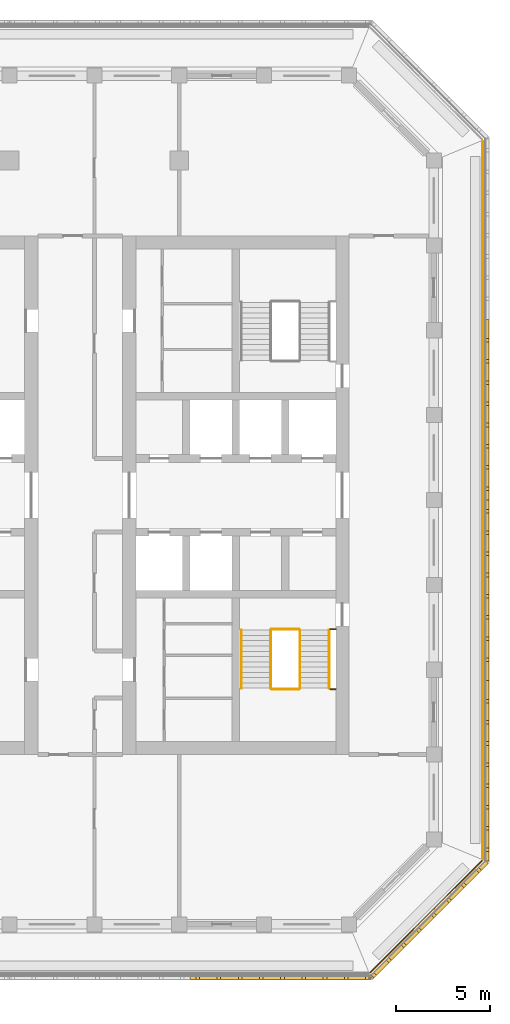
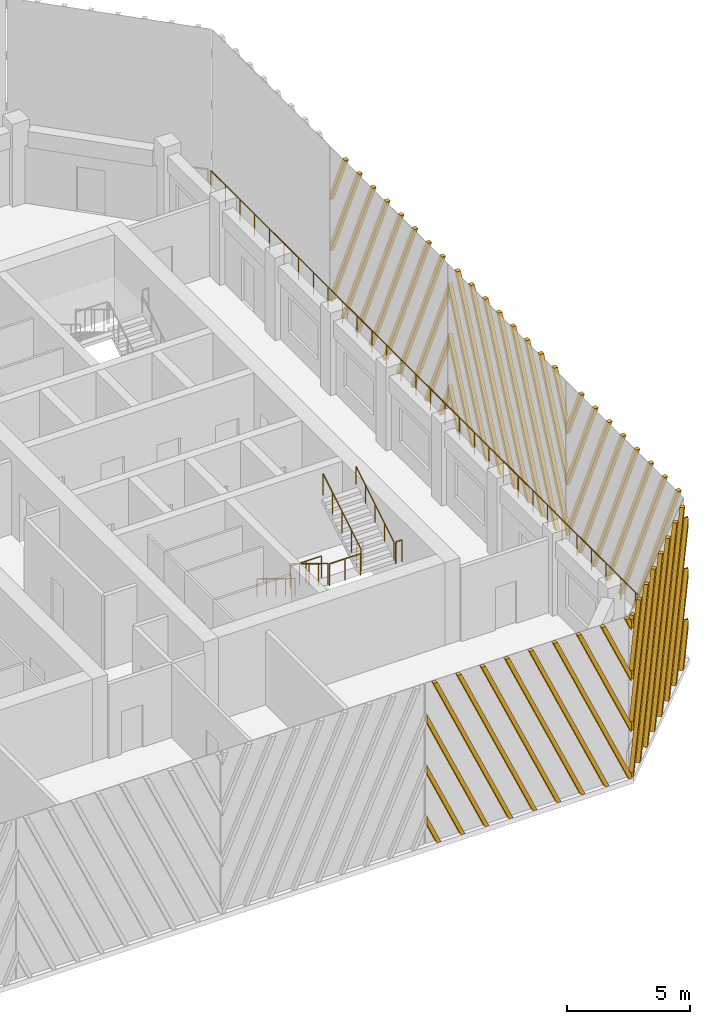
# One storey, part 11 of 15: 10 railings, 5 shading devices.
"""IFC4 building model written with IfcOpenShell, lengths in metres."""

from ifc_helpers import new_model, si_unit, direction, frame, origin, origin_2d, place, context, subcontext, project, spatial, polyline, circle, outline, extrude, source, transform, mapped, material, type_object, element, save


model = new_model("IFC4")

# Units and contexts
model_context = context("Model", 3, precision=1e-05, world=origin(), true_north=direction((0.0, 1.0)))
body_context = subcontext(model_context, "Body", "Model", "MODEL_VIEW")
ifc_project = project(units=[si_unit("LENGTHUNIT", "METRE"), si_unit("AREAUNIT", "SQUARE_METRE"), si_unit("VOLUMEUNIT", "CUBIC_METRE"), si_unit("PLANEANGLEUNIT", "RADIAN"), si_unit("MASSUNIT", "GRAM", prefix="KILO")], contexts=[model_context])

# Site, building, storey
site_placement = place(None, origin())
site = spatial("IfcSite", under=ifc_project, at=site_placement, CompositionType="ELEMENT")
building_placement = place(site_placement, origin())
building = spatial("IfcBuilding", under=site, at=building_placement, Name="Corbel Stack Research Tower", CompositionType="ELEMENT")
storey_placement = place(building_placement, frame((0.0, 0.0, 282.699951171875)))
storey = spatial("IfcBuildingStorey", under=building, at=storey_placement, Name="L64", CompositionType="ELEMENT", Elevation=282.699951171875)

# Railings
ifc_material_1 = material(Name="Steel S355", Category="steel")
railing_type_1 = type_object("IfcRailingType", Name="Stair guard 1100", PredefinedType="GUARDRAIL", material=ifc_material_1)
railing_1_placement = place(storey_placement, frame((13.85009765625, -2.39990234375, 0.1708984375)))
element("IfcRailing", 1, at=railing_1_placement, inside=storey, type_object=railing_type_1, Name="L64 ST-E1 stair guard 1", PredefinedType="GUARDRAIL", context=body_context, shape_type="SweptSolid", body=[
    extrude(circle(Radius=0.02392578125, at=origin_2d()), frame((0.0, 0.0, 1.076171875), z_axis=(0.0, -0.853666305674, 0.52082035152), x_axis=(1.0, 0.0, 0.0)), (0.0, 0.0, 1.0), 3.608154296875),
    extrude(circle(Radius=0.02099609375, at=origin_2d()), origin(), (0.0, 0.0, 1.0), 1.052001953125),
    extrude(circle(Radius=0.02099609375, at=origin_2d()), frame((0.0, -0.77001953125, 0.4697265625)), (0.0, 0.0, 1.0), 1.052001953125),
    extrude(circle(Radius=0.02099609375, at=origin_2d()), frame((0.0, -1.5400390625, 0.939453125)), (0.0, 0.0, 1.0), 1.052001953125),
    extrude(circle(Radius=0.02099609375, at=origin_2d()), frame((0.0, -2.31005859375, 1.409423828125)), (0.0, 0.0, 1.0), 1.052001953125),
    extrude(circle(Radius=0.02099609375, at=origin_2d()), frame((0.0, -3.080078125, 1.879150390625)), (0.0, 0.0, 1.0), 1.052001953125),
])
railing_2_placement = place(storey_placement, frame((13.89990234375, -5.530029296875, 2.050048828125)))
element("IfcRailing", 2, at=railing_2_placement, inside=storey, type_object=railing_type_1, Name="L64 ST-E1 stair guard 2", PredefinedType="GUARDRAIL", context=body_context, shape_type="SweptSolid", body=[
    extrude(circle(Radius=0.02392578125, at=origin_2d()), frame((0.0, 0.0, 1.076171875), z_axis=(1.0, 0.0, 0.0), x_axis=(0.0, 1.0, 0.0)), (0.0, 0.0, 1.0), 1.4501953125),
    extrude(circle(Radius=0.02099609375, at=origin_2d()), origin(), (0.0, 0.0, 1.0), 1.052001953125),
    extrude(circle(Radius=0.02099609375, at=origin_2d()), frame((0.72509765625, 0.0, 0.0)), (0.0, 0.0, 1.0), 1.052001953125),
    extrude(circle(Radius=0.02099609375, at=origin_2d()), frame((1.4501953125, 0.0, 0.0)), (0.0, 0.0, 1.0), 1.052001953125),
])
railing_3_placement = place(storey_placement, frame((17.0, -5.530029296875, 2.050048828125)))
element("IfcRailing", 3, at=railing_3_placement, inside=storey, type_object=railing_type_1, Name="L64 ST-E1 stair guard 3", PredefinedType="GUARDRAIL", context=body_context, shape_type="SweptSolid", body=[
    extrude(circle(Radius=0.02392578125, at=origin_2d()), frame((0.0, 0.0, 1.076171875), z_axis=(1.0, 0.0, 0.0), x_axis=(0.0, 1.0, 0.0)), (0.0, 0.0, 1.0), 0.300048828125),
    extrude(circle(Radius=0.02099609375, at=origin_2d()), origin(), (0.0, 0.0, 1.0), 1.052001953125),
    extrude(circle(Radius=0.02099609375, at=origin_2d()), frame((0.300048828125, 0.0, 0.0)), (0.0, 0.0, 1.0), 1.052001953125),
])
railing_4_placement = place(storey_placement, frame((15.39990234375, -5.47998046875, 2.220947265625)))
element("IfcRailing", 4, at=railing_4_placement, inside=storey, type_object=railing_type_1, Name="L64 ST-E1 stair guard 4", PredefinedType="GUARDRAIL", context=body_context, shape_type="SweptSolid", body=[
    extrude(circle(Radius=0.02392578125, at=origin_2d()), frame((0.0, 0.0, 1.076171875), z_axis=(0.0, 0.853666305674, 0.52082035152), x_axis=(-1.0, 0.0, 0.0)), (0.0, 0.0, 1.0), 3.608154296875),
    extrude(circle(Radius=0.02099609375, at=origin_2d()), origin(), (0.0, 0.0, 1.0), 1.052001953125),
    extrude(circle(Radius=0.02099609375, at=origin_2d()), frame((0.0, 0.77001953125, 0.4697265625)), (0.0, 0.0, 1.0), 1.052001953125),
    extrude(circle(Radius=0.02099609375, at=origin_2d()), frame((0.0, 1.5400390625, 0.939453125)), (0.0, 0.0, 1.0), 1.052001953125),
    extrude(circle(Radius=0.02099609375, at=origin_2d()), frame((0.0, 2.31005859375, 1.409423828125)), (0.0, 0.0, 1.0), 1.052001953125),
    extrude(circle(Radius=0.02099609375, at=origin_2d()), frame((0.0, 3.080078125, 1.879150390625)), (0.0, 0.0, 1.0), 1.052001953125),
])
railing_5_placement = place(storey_placement, frame((13.89990234375, -2.35009765625, 0.0)))
element("IfcRailing", 5, at=railing_5_placement, inside=storey, type_object=railing_type_1, Name="L64 ST-E1 stair guard 5", PredefinedType="GUARDRAIL", context=body_context, shape_type="SweptSolid", body=[
    extrude(circle(Radius=0.02392578125, at=origin_2d()), frame((0.0, 0.0, 1.076171875), z_axis=(1.0, 0.0, 0.0), x_axis=(0.0, 1.0, 0.0)), (0.0, 0.0, 1.0), 1.4501953125),
    extrude(circle(Radius=0.02099609375, at=origin_2d()), origin(), (0.0, 0.0, 1.0), 1.052001953125),
    extrude(circle(Radius=0.02099609375, at=origin_2d()), frame((0.72509765625, 0.0, 0.0)), (0.0, 0.0, 1.0), 1.052001953125),
    extrude(circle(Radius=0.02099609375, at=origin_2d()), frame((1.4501953125, 0.0, 0.0)), (0.0, 0.0, 1.0), 1.052001953125),
])
railing_6_placement = place(storey_placement, frame((17.0, -2.35009765625, 0.0)))
element("IfcRailing", 6, at=railing_6_placement, inside=storey, type_object=railing_type_1, Name="L64 ST-E1 stair guard 6", PredefinedType="GUARDRAIL", context=body_context, shape_type="SweptSolid", body=[
    extrude(circle(Radius=0.02392578125, at=origin_2d()), frame((0.0, 0.0, 1.076171875), z_axis=(1.0, 0.0, 0.0), x_axis=(0.0, 1.0, 0.0)), (0.0, 0.0, 1.0), 0.300048828125),
    extrude(circle(Radius=0.02099609375, at=origin_2d()), origin(), (0.0, 0.0, 1.0), 1.052001953125),
    extrude(circle(Radius=0.02099609375, at=origin_2d()), frame((0.300048828125, 0.0, 0.0)), (0.0, 0.0, 1.0), 1.052001953125),
])
ifc_material_2 = material(Name="Steel S355", Category="steel")
railing_type_2 = type_object("IfcRailingType", Name="Stair handrail 900", PredefinedType="HANDRAIL", material=ifc_material_2)
railing_7_placement = place(storey_placement, frame((12.300048828125, -2.39990234375, 0.1708984375)))
element("IfcRailing", 7, at=railing_7_placement, inside=storey, type_object=railing_type_2, Name="L64 ST-E1 stair handrail 1", PredefinedType="HANDRAIL", context=body_context, shape_type="SweptSolid", body=[
    extrude(circle(Radius=0.02392578125, at=origin_2d()), frame((0.0, 0.0, 0.8759765625), z_axis=(0.0, -0.853666305674, 0.52082035152), x_axis=(1.0, 0.0, 0.0)), (0.0, 0.0, 1.0), 3.608154296875),
    extrude(circle(Radius=0.02099609375, at=origin_2d()), origin(), (0.0, 0.0, 1.0), 0.851806640625),
    extrude(circle(Radius=0.02099609375, at=origin_2d()), frame((0.0, -0.77001953125, 0.4697265625)), (0.0, 0.0, 1.0), 0.851806640625),
    extrude(circle(Radius=0.02099609375, at=origin_2d()), frame((0.0, -1.5400390625, 0.939453125)), (0.0, 0.0, 1.0), 0.851806640625),
    extrude(circle(Radius=0.02099609375, at=origin_2d()), frame((0.0, -2.31005859375, 1.409423828125)), (0.0, 0.0, 1.0), 0.851806640625),
    extrude(circle(Radius=0.02099609375, at=origin_2d()), frame((0.0, -3.080078125, 1.879150390625)), (0.0, 0.0, 1.0), 0.851806640625),
])
railing_8_placement = place(storey_placement, frame((16.949951171875, -5.47998046875, 2.220947265625)))
element("IfcRailing", 8, at=railing_8_placement, inside=storey, type_object=railing_type_2, Name="L64 ST-E1 stair handrail 2", PredefinedType="HANDRAIL", context=body_context, shape_type="SweptSolid", body=[
    extrude(circle(Radius=0.02392578125, at=origin_2d()), frame((0.0, 0.0, 0.8759765625), z_axis=(0.0, 0.853666305674, 0.52082035152), x_axis=(-1.0, 0.0, 0.0)), (0.0, 0.0, 1.0), 3.608154296875),
    extrude(circle(Radius=0.02099609375, at=origin_2d()), origin(), (0.0, 0.0, 1.0), 0.851806640625),
    extrude(circle(Radius=0.02099609375, at=origin_2d()), frame((0.0, 0.77001953125, 0.4697265625)), (0.0, 0.0, 1.0), 0.851806640625),
    extrude(circle(Radius=0.02099609375, at=origin_2d()), frame((0.0, 1.5400390625, 0.939453125)), (0.0, 0.0, 1.0), 0.851806640625),
    extrude(circle(Radius=0.02099609375, at=origin_2d()), frame((0.0, 2.31005859375, 1.409423828125)), (0.0, 0.0, 1.0), 0.851806640625),
    extrude(circle(Radius=0.02099609375, at=origin_2d()), frame((0.0, 3.080078125, 1.879150390625)), (0.0, 0.0, 1.0), 0.851806640625),
])
ifc_material_3 = material(Name="Powder-coated steel guard", Category="steel")
railing_type_3 = type_object("IfcRailingType", Name="Steel and glass guard 1100", PredefinedType="GUARDRAIL", material=ifc_material_3)
railing_9_placement = place(storey_placement, frame((19.127685546875, -20.54931640625, 0.0)))
element("IfcRailing", 9, at=railing_9_placement, inside=storey, type_object=railing_type_3, Name="Loggia guard L64 SE", PredefinedType="GUARDRAIL", context=body_context, shape_type="SweptSolid", body=[
    extrude(circle(Radius=0.02392578125, at=origin_2d()), frame((0.0, 0.0, 1.076171875), z_axis=(0.707106781187, 0.707106781187, 0.0), x_axis=(-0.707106781187, 0.707106781187, 0.0)), (0.0, 0.0, 1.0), 8.37451171875),
    extrude(circle(Radius=0.02099609375, at=origin_2d()), origin(), (0.0, 0.0, 1.0), 1.052001953125),
    extrude(circle(Radius=0.02099609375, at=origin_2d()), frame((0.845947265625, 0.845947265625, 0.0)), (0.0, 0.0, 1.0), 1.052001953125),
    extrude(circle(Radius=0.02099609375, at=origin_2d()), frame((1.69189453125, 1.69189453125, 0.0)), (0.0, 0.0, 1.0), 1.052001953125),
    extrude(circle(Radius=0.02099609375, at=origin_2d()), frame((2.537841796875, 2.537841796875, 0.0)), (0.0, 0.0, 1.0), 1.052001953125),
    extrude(circle(Radius=0.02099609375, at=origin_2d()), frame((3.3837890625, 3.3837890625, 0.0)), (0.0, 0.0, 1.0), 1.052001953125),
    extrude(circle(Radius=0.02099609375, at=origin_2d()), frame((4.229736328125, 4.229736328125, 0.0)), (0.0, 0.0, 1.0), 1.052001953125),
    extrude(circle(Radius=0.02099609375, at=origin_2d()), frame((5.07568359375, 5.07568359375, 0.0)), (0.0, 0.0, 1.0), 1.052001953125),
    extrude(circle(Radius=0.02099609375, at=origin_2d()), frame((5.921630859375, 5.921630859375, 0.0)), (0.0, 0.0, 1.0), 1.052001953125),
])
railing_10_placement = place(storey_placement, frame((25.10009765625, -14.50537109375, 0.0)))
element("IfcRailing", 10, at=railing_10_placement, inside=storey, type_object=railing_type_3, Name="Loggia guard L64 E", PredefinedType="GUARDRAIL", context=body_context, shape_type="SweptSolid", body=[
    extrude(circle(Radius=0.02392578125, at=origin_2d()), frame((0.0, 0.0, 1.076171875), z_axis=(0.0, 1.0, 0.0), x_axis=(-1.0, 0.0, 0.0)), (0.0, 0.0, 1.0), 38.0107421875),
    extrude(circle(Radius=0.02099609375, at=origin_2d()), origin(), (0.0, 0.0, 1.0), 1.052001953125),
    extrude(circle(Radius=0.02099609375, at=origin_2d()), frame((0.0, 1.187744140625, 0.0)), (0.0, 0.0, 1.0), 1.052001953125),
    extrude(circle(Radius=0.02099609375, at=origin_2d()), frame((0.0, 2.375732421875, 0.0)), (0.0, 0.0, 1.0), 1.052001953125),
    extrude(circle(Radius=0.02099609375, at=origin_2d()), frame((0.0, 3.5634765625, 0.0)), (0.0, 0.0, 1.0), 1.052001953125),
    extrude(circle(Radius=0.02099609375, at=origin_2d()), frame((0.0, 4.75146484375, 0.0)), (0.0, 0.0, 1.0), 1.052001953125),
    extrude(circle(Radius=0.02099609375, at=origin_2d()), frame((0.0, 5.939208984375, 0.0)), (0.0, 0.0, 1.0), 1.052001953125),
    extrude(circle(Radius=0.02099609375, at=origin_2d()), frame((0.0, 7.126953125, 0.0)), (0.0, 0.0, 1.0), 1.052001953125),
    extrude(circle(Radius=0.02099609375, at=origin_2d()), frame((0.0, 8.31494140625, 0.0)), (0.0, 0.0, 1.0), 1.052001953125),
    extrude(circle(Radius=0.02099609375, at=origin_2d()), frame((0.0, 9.502685546875, 0.0)), (0.0, 0.0, 1.0), 1.052001953125),
    extrude(circle(Radius=0.02099609375, at=origin_2d()), frame((0.0, 10.6904296875, 0.0)), (0.0, 0.0, 1.0), 1.052001953125),
    extrude(circle(Radius=0.02099609375, at=origin_2d()), frame((0.0, 11.87841796875, 0.0)), (0.0, 0.0, 1.0), 1.052001953125),
    extrude(circle(Radius=0.02099609375, at=origin_2d()), frame((0.0, 13.066162109375, 0.0)), (0.0, 0.0, 1.0), 1.052001953125),
    extrude(circle(Radius=0.02099609375, at=origin_2d()), frame((0.0, 14.25390625, 0.0)), (0.0, 0.0, 1.0), 1.052001953125),
    extrude(circle(Radius=0.02099609375, at=origin_2d()), frame((0.0, 15.44189453125, 0.0)), (0.0, 0.0, 1.0), 1.052001953125),
    extrude(circle(Radius=0.02099609375, at=origin_2d()), frame((0.0, 16.629638671875, 0.0)), (0.0, 0.0, 1.0), 1.052001953125),
    extrude(circle(Radius=0.02099609375, at=origin_2d()), frame((0.0, 17.817626953125, 0.0)), (0.0, 0.0, 1.0), 1.052001953125),
    extrude(circle(Radius=0.02099609375, at=origin_2d()), frame((0.0, 19.00537109375, 0.0)), (0.0, 0.0, 1.0), 1.052001953125),
    extrude(circle(Radius=0.02099609375, at=origin_2d()), frame((0.0, 20.193115234375, 0.0)), (0.0, 0.0, 1.0), 1.052001953125),
    extrude(circle(Radius=0.02099609375, at=origin_2d()), frame((0.0, 21.381103515625, 0.0)), (0.0, 0.0, 1.0), 1.052001953125),
    extrude(circle(Radius=0.02099609375, at=origin_2d()), frame((0.0, 22.56884765625, 0.0)), (0.0, 0.0, 1.0), 1.052001953125),
    extrude(circle(Radius=0.02099609375, at=origin_2d()), frame((0.0, 23.7568359375, 0.0)), (0.0, 0.0, 1.0), 1.052001953125),
    extrude(circle(Radius=0.02099609375, at=origin_2d()), frame((0.0, 24.944580078125, 0.0)), (0.0, 0.0, 1.0), 1.052001953125),
    extrude(circle(Radius=0.02099609375, at=origin_2d()), frame((0.0, 26.13232421875, 0.0)), (0.0, 0.0, 1.0), 1.052001953125),
    extrude(circle(Radius=0.02099609375, at=origin_2d()), frame((0.0, 27.3203125, 0.0)), (0.0, 0.0, 1.0), 1.052001953125),
    extrude(circle(Radius=0.02099609375, at=origin_2d()), frame((0.0, 28.508056640625, 0.0)), (0.0, 0.0, 1.0), 1.052001953125),
    extrude(circle(Radius=0.02099609375, at=origin_2d()), frame((0.0, 29.69580078125, 0.0)), (0.0, 0.0, 1.0), 1.052001953125),
    extrude(circle(Radius=0.02099609375, at=origin_2d()), frame((0.0, 30.8837890625, 0.0)), (0.0, 0.0, 1.0), 1.052001953125),
    extrude(circle(Radius=0.02099609375, at=origin_2d()), frame((0.0, 32.071533203125, 0.0)), (0.0, 0.0, 1.0), 1.052001953125),
    extrude(circle(Radius=0.02099609375, at=origin_2d()), frame((0.0, 33.25927734375, 0.0)), (0.0, 0.0, 1.0), 1.052001953125),
    extrude(circle(Radius=0.02099609375, at=origin_2d()), frame((0.0, 34.447265625, 0.0)), (0.0, 0.0, 1.0), 1.052001953125),
    extrude(circle(Radius=0.02099609375, at=origin_2d()), frame((0.0, 35.635009765625, 0.0)), (0.0, 0.0, 1.0), 1.052001953125),
    extrude(circle(Radius=0.02099609375, at=origin_2d()), frame((0.0, 36.822998046875, 0.0)), (0.0, 0.0, 1.0), 1.052001953125),
    extrude(circle(Radius=0.02099609375, at=origin_2d()), frame((0.0, 38.0107421875, 0.0)), (0.0, 0.0, 1.0), 1.052001953125),
])

# Shading devices
ifc_material_4 = material(Name="Precast terracotta", Category="masonry")
shading_device_type = type_object("IfcShadingDeviceType", Name="Terracotta screen panel", PredefinedType="USERDEFINED", material=ifc_material_4)
shared_shape_1 = source(origin(), body_context, "Body", "SweptSolid", [
    extrude(outline(polyline([(0.66455078125, 0.0), (0.0, 1.49267578125), (0.0, 1.06591796875), (0.474609375, 0.0), (0.66455078125, 0.0)])), frame((0.0, 0.0, 0.0), z_axis=(0.0, -1.0, 0.0), x_axis=(1.0, 0.0, 0.0)), (0.0, 0.0, 1.0), 0.179931640625),
    extrude(outline(polyline([(1.78955078125, 0.0), (0.0, 4.019287109375), (0.0, 3.592529296875), (1.599609375, 0.0), (1.78955078125, 0.0)])), frame((0.0, 0.0, 0.0), z_axis=(0.0, -1.0, 0.0), x_axis=(1.0, 0.0, 0.0)), (0.0, 0.0, 1.0), 0.179931640625),
    extrude(outline(polyline([(2.91455078125, 0.0), (0.0, 6.546142578125), (0.0, 6.119384765625), (2.724609375, 0.0), (2.91455078125, 0.0)])), frame((0.0, 0.0, 0.0), z_axis=(0.0, -1.0, 0.0), x_axis=(1.0, 0.0, 0.0)), (0.0, 0.0, 1.0), 0.179931640625),
    extrude(outline(polyline([(4.03955078125, 0.0), (0.5, 7.949951171875), (0.31005859375, 7.949951171875), (3.849609375, 0.0), (4.03955078125, 0.0)])), frame((0.0, 0.0, 0.0), z_axis=(0.0, -1.0, 0.0), x_axis=(1.0, 0.0, 0.0)), (0.0, 0.0, 1.0), 0.179931640625),
    extrude(outline(polyline([(5.16455078125, 0.0), (1.625, 7.949951171875), (1.43505859375, 7.949951171875), (4.974609375, 0.0), (5.16455078125, 0.0)])), frame((0.0, 0.0, 0.0), z_axis=(0.0, -1.0, 0.0), x_axis=(1.0, 0.0, 0.0)), (0.0, 0.0, 1.0), 0.179931640625),
    extrude(outline(polyline([(6.28955078125, 0.0), (2.75, 7.949951171875), (2.56005859375, 7.949951171875), (6.099609375, 0.0), (6.28955078125, 0.0)])), frame((0.0, 0.0, 0.0), z_axis=(0.0, -1.0, 0.0), x_axis=(1.0, 0.0, 0.0)), (0.0, 0.0, 1.0), 0.179931640625),
    extrude(outline(polyline([(7.41455078125, 0.0), (3.875, 7.949951171875), (3.68505859375, 7.949951171875), (7.224609375, 0.0), (7.41455078125, 0.0)])), frame((0.0, 0.0, 0.0), z_axis=(0.0, -1.0, 0.0), x_axis=(1.0, 0.0, 0.0)), (0.0, 0.0, 1.0), 0.179931640625),
    extrude(outline(polyline([(8.53955078125, 0.0), (5.0, 7.949951171875), (4.81005859375, 7.949951171875), (8.349609375, 0.0), (8.53955078125, 0.0)])), frame((0.0, 0.0, 0.0), z_axis=(0.0, -1.0, 0.0), x_axis=(1.0, 0.0, 0.0)), (0.0, 0.0, 1.0), 0.179931640625),
    extrude(outline(polyline([(9.569580078125, 0.0), (9.569580078125, 0.21337890625), (6.125, 7.949951171875), (5.93505859375, 7.949951171875), (9.474609375, 0.0), (9.569580078125, 0.0)])), frame((0.0, 0.0, 0.0), z_axis=(0.0, -1.0, 0.0), x_axis=(1.0, 0.0, 0.0)), (0.0, 0.0, 1.0), 0.179931640625),
    extrude(outline(polyline([(7.25, 7.949951171875), (7.06005859375, 7.949951171875), (9.569580078125, 2.3134765625), (9.569580078125, 2.740234375), (7.25, 7.949951171875)])), frame((0.0, 0.0, 0.0), z_axis=(0.0, -1.0, 0.0), x_axis=(1.0, 0.0, 0.0)), (0.0, 0.0, 1.0), 0.179931640625),
    extrude(outline(polyline([(8.375, 7.949951171875), (8.18505859375, 7.949951171875), (9.569580078125, 4.840087890625), (9.569580078125, 5.26708984375), (8.375, 7.949951171875)])), frame((0.0, 0.0, 0.0), z_axis=(0.0, -1.0, 0.0), x_axis=(1.0, 0.0, 0.0)), (0.0, 0.0, 1.0), 0.179931640625),
    extrude(outline(polyline([(9.5, 7.949951171875), (9.31005859375, 7.949951171875), (9.569580078125, 7.366943359375), (9.569580078125, 7.793701171875), (9.5, 7.949951171875)])), frame((0.0, 0.0, 0.0), z_axis=(0.0, -1.0, 0.0), x_axis=(1.0, 0.0, 0.0)), (0.0, 0.0, 1.0), 0.179931640625),
])
shading_device_1_placement = place(storey_placement, frame((9.569580078125, -20.75, 0.0), z_axis=(0.0, 0.0, 1.0), x_axis=(1.0, 0.0, 0.0)))
element("IfcShadingDevice", 11, at=shading_device_1_placement, inside=storey, type_object=shading_device_type, Name="Terracotta screen L64 S4", ObjectType="SCREEN", PredefinedType="USERDEFINED", context=body_context, shape_type="MappedRepresentation", body=[
    mapped(shared_shape_1, transform((0.0, 0.0, 0.0))),
])
shared_shape_2 = source(origin(), body_context, "Body", "SweptSolid", [
    extrude(outline(polyline([(0.259521484375, 7.949951171875), (0.069580078125, 7.949951171875), (0.0, 7.793701171875), (0.0, 7.366943359375), (0.259521484375, 7.949951171875)])), frame((0.0, 0.0, 0.0), z_axis=(0.0, -1.0, 0.0), x_axis=(1.0, 0.0, 0.0)), (0.0, 0.0, 1.0), 0.179931640625),
    extrude(outline(polyline([(1.384521484375, 7.949951171875), (1.194580078125, 7.949951171875), (0.0, 5.26708984375), (0.0, 4.840087890625), (1.384521484375, 7.949951171875)])), frame((0.0, 0.0, 0.0), z_axis=(0.0, -1.0, 0.0), x_axis=(1.0, 0.0, 0.0)), (0.0, 0.0, 1.0), 0.179931640625),
    extrude(outline(polyline([(2.509521484375, 7.949951171875), (2.319580078125, 7.949951171875), (0.0, 2.740234375), (0.0, 2.3134765625), (2.509521484375, 7.949951171875)])), frame((0.0, 0.0, 0.0), z_axis=(0.0, -1.0, 0.0), x_axis=(1.0, 0.0, 0.0)), (0.0, 0.0, 1.0), 0.179931640625),
    extrude(outline(polyline([(0.094970703125, 0.0), (3.634521484375, 7.949951171875), (3.444580078125, 7.949951171875), (0.0, 0.21337890625), (0.0, 0.0), (0.094970703125, 0.0)])), frame((0.0, 0.0, 0.0), z_axis=(0.0, -1.0, 0.0), x_axis=(1.0, 0.0, 0.0)), (0.0, 0.0, 1.0), 0.179931640625),
    extrude(outline(polyline([(1.219970703125, 0.0), (4.759521484375, 7.949951171875), (4.569580078125, 7.949951171875), (1.030029296875, 0.0), (1.219970703125, 0.0)])), frame((0.0, 0.0, 0.0), z_axis=(0.0, -1.0, 0.0), x_axis=(1.0, 0.0, 0.0)), (0.0, 0.0, 1.0), 0.179931640625),
    extrude(outline(polyline([(2.344970703125, 0.0), (5.884521484375, 7.949951171875), (5.694580078125, 7.949951171875), (2.155029296875, 0.0), (2.344970703125, 0.0)])), frame((0.0, 0.0, 0.0), z_axis=(0.0, -1.0, 0.0), x_axis=(1.0, 0.0, 0.0)), (0.0, 0.0, 1.0), 0.179931640625),
    extrude(outline(polyline([(3.469970703125, 0.0), (7.009521484375, 7.949951171875), (6.819580078125, 7.949951171875), (3.280029296875, 0.0), (3.469970703125, 0.0)])), frame((0.0, 0.0, 0.0), z_axis=(0.0, -1.0, 0.0), x_axis=(1.0, 0.0, 0.0)), (0.0, 0.0, 1.0), 0.179931640625),
    extrude(outline(polyline([(4.594970703125, 0.0), (8.134521484375, 7.949951171875), (7.944580078125, 7.949951171875), (4.405029296875, 0.0), (4.594970703125, 0.0)])), frame((0.0, 0.0, 0.0), z_axis=(0.0, -1.0, 0.0), x_axis=(1.0, 0.0, 0.0)), (0.0, 0.0, 1.0), 0.179931640625),
    extrude(outline(polyline([(5.719970703125, 0.0), (8.64208984375, 6.563232421875), (8.64208984375, 6.989990234375), (5.530029296875, 0.0), (5.719970703125, 0.0)])), frame((0.0, 0.0, 0.0), z_axis=(0.0, -1.0, 0.0), x_axis=(1.0, 0.0, 0.0)), (0.0, 0.0, 1.0), 0.179931640625),
    extrude(outline(polyline([(6.844970703125, 0.0), (8.64208984375, 4.036376953125), (8.64208984375, 4.463134765625), (6.655029296875, 0.0), (6.844970703125, 0.0)])), frame((0.0, 0.0, 0.0), z_axis=(0.0, -1.0, 0.0), x_axis=(1.0, 0.0, 0.0)), (0.0, 0.0, 1.0), 0.179931640625),
    extrude(outline(polyline([(7.969970703125, 0.0), (8.64208984375, 1.509521484375), (8.64208984375, 1.936279296875), (7.780029296875, 0.0), (7.969970703125, 0.0)])), frame((0.0, 0.0, 0.0), z_axis=(0.0, -1.0, 0.0), x_axis=(1.0, 0.0, 0.0)), (0.0, 0.0, 1.0), 0.179931640625),
])
shading_device_2_placement = place(storey_placement, frame((19.13916015625, -20.75, 0.0), z_axis=(0.0, 0.0, 1.0), x_axis=(0.707106781187, 0.707106781187, 0.0)))
element("IfcShadingDevice", 12, at=shading_device_2_placement, inside=storey, type_object=shading_device_type, Name="Terracotta screen L64 SE1", ObjectType="SCREEN", PredefinedType="USERDEFINED", context=body_context, shape_type="MappedRepresentation", body=[
    mapped(shared_shape_2, transform((0.0, 0.0, 0.0))),
])
shared_shape_3 = source(origin(), body_context, "Body", "SweptSolid", [
    extrude(outline(polyline([(0.862060546875, 0.0), (0.0, 1.936279296875), (0.0, 1.509521484375), (0.672119140625, 0.0), (0.862060546875, 0.0)])), frame((0.0, 0.0, 0.0), z_axis=(0.0, -1.0, 0.0), x_axis=(1.0, 0.0, 0.0)), (0.0, 0.0, 1.0), 0.179931640625),
    extrude(outline(polyline([(1.987060546875, 0.0), (0.0, 4.463134765625), (0.0, 4.036376953125), (1.797119140625, 0.0), (1.987060546875, 0.0)])), frame((0.0, 0.0, 0.0), z_axis=(0.0, -1.0, 0.0), x_axis=(1.0, 0.0, 0.0)), (0.0, 0.0, 1.0), 0.179931640625),
    extrude(outline(polyline([(3.112060546875, 0.0), (0.0, 6.989990234375), (0.0, 6.563232421875), (2.922119140625, 0.0), (3.112060546875, 0.0)])), frame((0.0, 0.0, 0.0), z_axis=(0.0, -1.0, 0.0), x_axis=(1.0, 0.0, 0.0)), (0.0, 0.0, 1.0), 0.179931640625),
    extrude(outline(polyline([(4.237060546875, 0.0), (0.697509765625, 7.949951171875), (0.507568359375, 7.949951171875), (4.047119140625, 0.0), (4.237060546875, 0.0)])), frame((0.0, 0.0, 0.0), z_axis=(0.0, -1.0, 0.0), x_axis=(1.0, 0.0, 0.0)), (0.0, 0.0, 1.0), 0.179931640625),
    extrude(outline(polyline([(5.362060546875, 0.0), (1.822509765625, 7.949951171875), (1.632568359375, 7.949951171875), (5.172119140625, 0.0), (5.362060546875, 0.0)])), frame((0.0, 0.0, 0.0), z_axis=(0.0, -1.0, 0.0), x_axis=(1.0, 0.0, 0.0)), (0.0, 0.0, 1.0), 0.179931640625),
    extrude(outline(polyline([(6.487060546875, 0.0), (2.947509765625, 7.949951171875), (2.757568359375, 7.949951171875), (6.297119140625, 0.0), (6.487060546875, 0.0)])), frame((0.0, 0.0, 0.0), z_axis=(0.0, -1.0, 0.0), x_axis=(1.0, 0.0, 0.0)), (0.0, 0.0, 1.0), 0.179931640625),
    extrude(outline(polyline([(7.612060546875, 0.0), (4.072509765625, 7.949951171875), (3.882568359375, 7.949951171875), (7.422119140625, 0.0), (7.612060546875, 0.0)])), frame((0.0, 0.0, 0.0), z_axis=(0.0, -1.0, 0.0), x_axis=(1.0, 0.0, 0.0)), (0.0, 0.0, 1.0), 0.179931640625),
    extrude(outline(polyline([(8.737060546875, 0.0), (5.197509765625, 7.949951171875), (5.007568359375, 7.949951171875), (8.547119140625, 0.0), (8.737060546875, 0.0)])), frame((0.0, 0.0, 0.0), z_axis=(0.0, -1.0, 0.0), x_axis=(1.0, 0.0, 0.0)), (0.0, 0.0, 1.0), 0.179931640625),
    extrude(outline(polyline([(6.322509765625, 7.949951171875), (6.132568359375, 7.949951171875), (9.569580078125, 0.23046875), (9.569580078125, 0.6572265625), (6.322509765625, 7.949951171875)])), frame((0.0, 0.0, 0.0), z_axis=(0.0, -1.0, 0.0), x_axis=(1.0, 0.0, 0.0)), (0.0, 0.0, 1.0), 0.179931640625),
    extrude(outline(polyline([(7.447509765625, 7.949951171875), (7.257568359375, 7.949951171875), (9.569580078125, 2.757080078125), (9.569580078125, 3.18408203125), (7.447509765625, 7.949951171875)])), frame((0.0, 0.0, 0.0), z_axis=(0.0, -1.0, 0.0), x_axis=(1.0, 0.0, 0.0)), (0.0, 0.0, 1.0), 0.179931640625),
    extrude(outline(polyline([(8.572509765625, 7.949951171875), (8.382568359375, 7.949951171875), (9.569580078125, 5.283935546875), (9.569580078125, 5.710693359375), (8.572509765625, 7.949951171875)])), frame((0.0, 0.0, 0.0), z_axis=(0.0, -1.0, 0.0), x_axis=(1.0, 0.0, 0.0)), (0.0, 0.0, 1.0), 0.179931640625),
])
for number, where, z_axis, x_axis, name in (
    (13, (25.25, -14.63916015625, 0.0), (0.0, 0.0, 1.0), (0.0, 1.0, 0.0), "Terracotta screen L64 E1"),
    (14, (25.25, 4.5, 0.0), (0.0, 0.0, 1.0), (0.0, 1.0, 0.0), "Terracotta screen L64 E3"),
):
    element("IfcShadingDevice", number, at=place(storey_placement, frame(where, z_axis=z_axis, x_axis=x_axis)), inside=storey, type_object=shading_device_type, Name=name, ObjectType="SCREEN", PredefinedType="USERDEFINED", context=body_context, shape_type="MappedRepresentation", body=[
        mapped(shared_shape_3, transform((0.0, 0.0, 0.0))),
    ])
shared_shape_4 = source(origin(), body_context, "Body", "SweptSolid", [
    extrude(outline(polyline([(1.18701171875, 7.949951171875), (0.9970703125, 7.949951171875), (0.0, 5.710693359375), (0.0, 5.283935546875), (1.18701171875, 7.949951171875)])), frame((0.0, 0.0, 0.0), z_axis=(0.0, -1.0, 0.0), x_axis=(1.0, 0.0, 0.0)), (0.0, 0.0, 1.0), 0.179931640625),
    extrude(outline(polyline([(2.31201171875, 7.949951171875), (2.1220703125, 7.949951171875), (0.0, 3.18408203125), (0.0, 2.757080078125), (2.31201171875, 7.949951171875)])), frame((0.0, 0.0, 0.0), z_axis=(0.0, -1.0, 0.0), x_axis=(1.0, 0.0, 0.0)), (0.0, 0.0, 1.0), 0.179931640625),
    extrude(outline(polyline([(3.43701171875, 7.949951171875), (3.2470703125, 7.949951171875), (0.0, 0.6572265625), (0.0, 0.23046875), (3.43701171875, 7.949951171875)])), frame((0.0, 0.0, 0.0), z_axis=(0.0, -1.0, 0.0), x_axis=(1.0, 0.0, 0.0)), (0.0, 0.0, 1.0), 0.179931640625),
    extrude(outline(polyline([(1.0224609375, 0.0), (4.56201171875, 7.949951171875), (4.3720703125, 7.949951171875), (0.83251953125, 0.0), (1.0224609375, 0.0)])), frame((0.0, 0.0, 0.0), z_axis=(0.0, -1.0, 0.0), x_axis=(1.0, 0.0, 0.0)), (0.0, 0.0, 1.0), 0.179931640625),
    extrude(outline(polyline([(2.1474609375, 0.0), (5.68701171875, 7.949951171875), (5.4970703125, 7.949951171875), (1.95751953125, 0.0), (2.1474609375, 0.0)])), frame((0.0, 0.0, 0.0), z_axis=(0.0, -1.0, 0.0), x_axis=(1.0, 0.0, 0.0)), (0.0, 0.0, 1.0), 0.179931640625),
    extrude(outline(polyline([(3.2724609375, 0.0), (6.81201171875, 7.949951171875), (6.6220703125, 7.949951171875), (3.08251953125, 0.0), (3.2724609375, 0.0)])), frame((0.0, 0.0, 0.0), z_axis=(0.0, -1.0, 0.0), x_axis=(1.0, 0.0, 0.0)), (0.0, 0.0, 1.0), 0.179931640625),
    extrude(outline(polyline([(4.3974609375, 0.0), (7.93701171875, 7.949951171875), (7.7470703125, 7.949951171875), (4.20751953125, 0.0), (4.3974609375, 0.0)])), frame((0.0, 0.0, 0.0), z_axis=(0.0, -1.0, 0.0), x_axis=(1.0, 0.0, 0.0)), (0.0, 0.0, 1.0), 0.179931640625),
    extrude(outline(polyline([(5.5224609375, 0.0), (9.06201171875, 7.949951171875), (8.8720703125, 7.949951171875), (5.33251953125, 0.0), (5.5224609375, 0.0)])), frame((0.0, 0.0, 0.0), z_axis=(0.0, -1.0, 0.0), x_axis=(1.0, 0.0, 0.0)), (0.0, 0.0, 1.0), 0.179931640625),
    extrude(outline(polyline([(6.6474609375, 0.0), (9.569580078125, 6.563232421875), (9.569580078125, 6.989990234375), (6.45751953125, 0.0), (6.6474609375, 0.0)])), frame((0.0, 0.0, 0.0), z_axis=(0.0, -1.0, 0.0), x_axis=(1.0, 0.0, 0.0)), (0.0, 0.0, 1.0), 0.179931640625),
    extrude(outline(polyline([(7.7724609375, 0.0), (9.569580078125, 4.036376953125), (9.569580078125, 4.463134765625), (7.58251953125, 0.0), (7.7724609375, 0.0)])), frame((0.0, 0.0, 0.0), z_axis=(0.0, -1.0, 0.0), x_axis=(1.0, 0.0, 0.0)), (0.0, 0.0, 1.0), 0.179931640625),
    extrude(outline(polyline([(8.8974609375, 0.0), (9.569580078125, 1.509521484375), (9.569580078125, 1.936279296875), (8.70751953125, 0.0), (8.8974609375, 0.0)])), frame((0.0, 0.0, 0.0), z_axis=(0.0, -1.0, 0.0), x_axis=(1.0, 0.0, 0.0)), (0.0, 0.0, 1.0), 0.179931640625),
])
shading_device_3_placement = place(storey_placement, frame((25.25, -5.069580078125, 0.0), z_axis=(0.0, 0.0, 1.0), x_axis=(0.0, 1.0, 0.0)))
element("IfcShadingDevice", 15, at=shading_device_3_placement, inside=storey, type_object=shading_device_type, Name="Terracotta screen L64 E2", ObjectType="SCREEN", PredefinedType="USERDEFINED", context=body_context, shape_type="MappedRepresentation", body=[
    mapped(shared_shape_4, transform((0.0, 0.0, 0.0))),
])

save(model, "model.ifc")
